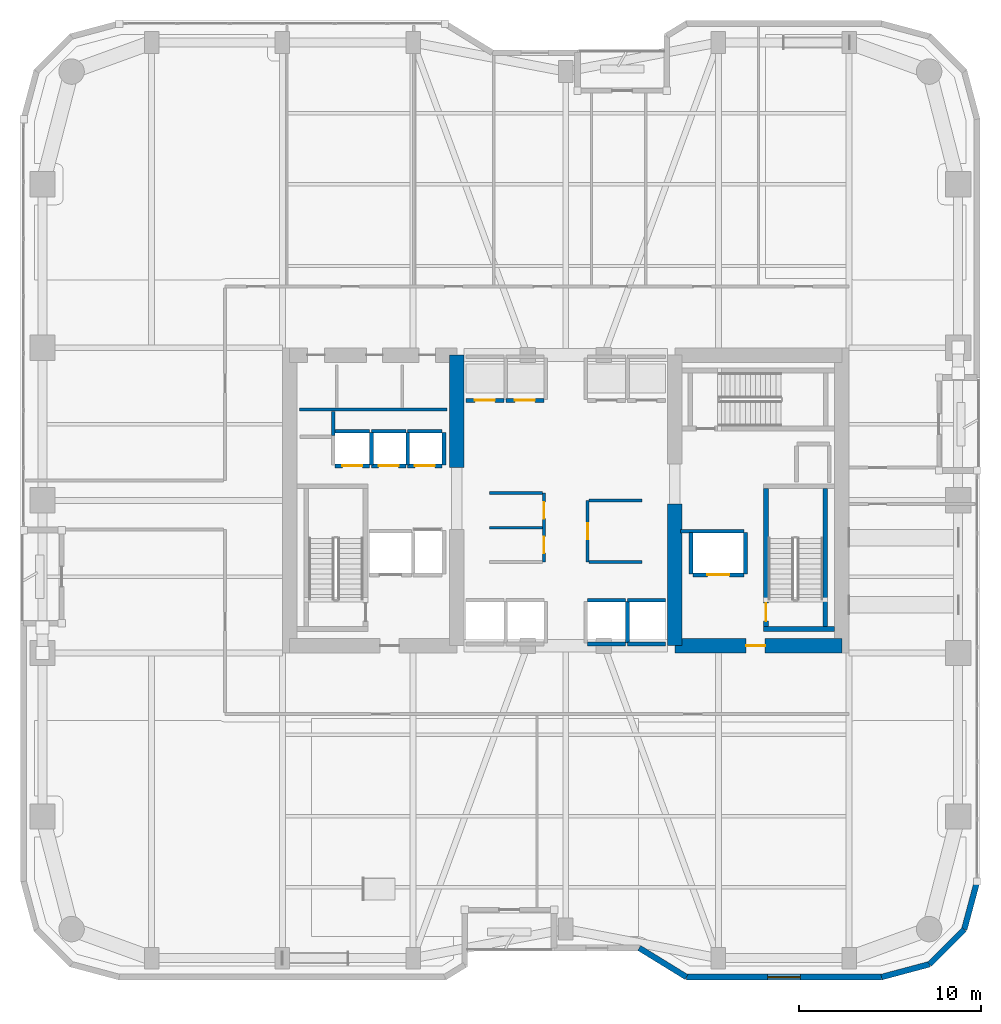
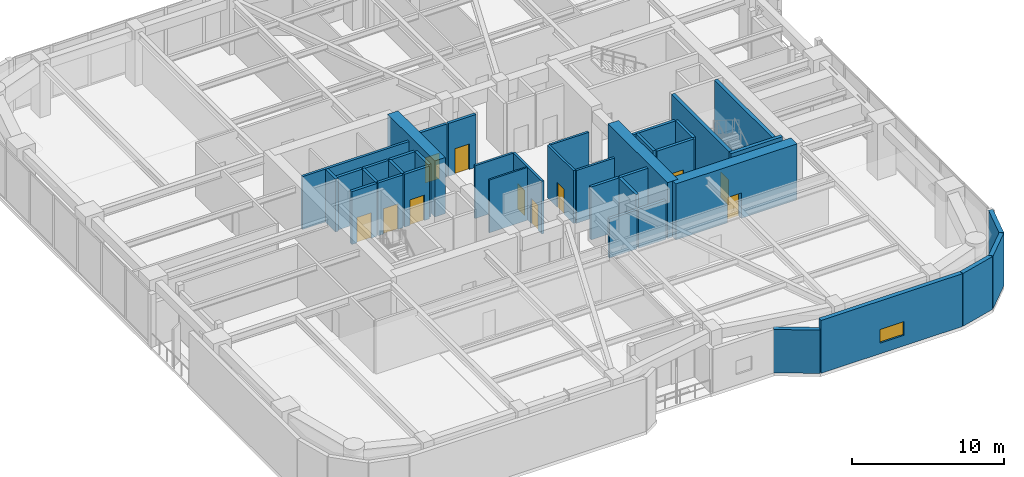
# One storey, part 15 of 23: 39 walls, 11 doors, 1 window, 12 openings.
"""IFC4 building model written with IfcOpenShell, lengths in metres."""

import ifcopenshell
import ifcopenshell.guid

model = None  # the IFC model being written
_history = None  # IfcOwnerHistory: only IFC2X3 demands one
_inside = {}  # id of a spatial element -> (the spatial element, [elements in it])
_under = {}  # id of a project, library or spatial element -> (it, [spatial elements below it])
_declared = {}  # id of a project -> (the project, [libraries it declares])
_typed = {}  # id of a type object -> (the type object, [elements of that type])
_made_of = {}  # id of a material, layer set ... -> (it, [elements and type objects made of it])


def new_model(schema):
    """Start an empty IFC model of exactly this schema.

    Asked for "IFC4X3", IfcOpenShell would pick the latest addendum, in which some entities
    have other attributes; the version numbers below select the first issue.
    IFC2X3 requires an IfcOwnerHistory on every rooted entity: one is made here for all.
    """
    global model, _history
    if schema == "IFC4X3":
        model = ifcopenshell.file(schema_version=(4, 3, 0, 0))
    else:
        model = ifcopenshell.file(schema=schema)
    _inside.clear()
    _under.clear()
    _declared.clear()
    _typed.clear()
    _made_of.clear()
    _history = None
    if model.schema == "IFC2X3":
        org = make("IfcOrganization", Name="unknown")
        user = make(
            "IfcPersonAndOrganization",
            ThePerson=make("IfcPerson", FamilyName="unknown"),
            TheOrganization=org,
        )
        app = make(
            "IfcApplication",
            ApplicationDeveloper=org,
            Version="unknown",
            ApplicationFullName="unknown",
            ApplicationIdentifier="unknown",
        )
        _history = make(
            "IfcOwnerHistory",
            OwningUser=user,
            OwningApplication=app,
            ChangeAction="ADDED",
            CreationDate=0,
        )
    return model


def make(cls, **values):
    """One entity of the class cls with the attributes given. An attribute that is None is left unset."""
    return model.create_entity(
        cls, **{name: value for name, value in values.items() if value is not None}
    )


def rooted(cls, **values):
    """An entity with a GlobalId (a new one), such as an element, a storey or a relation."""
    return make(cls, GlobalId=ifcopenshell.guid.new(), OwnerHistory=_history, **values)


def si_unit(unit_type, name, prefix=None):
    """IfcSIUnit, for example si_unit("LENGTHUNIT", "METRE", prefix="MILLI")."""
    return make("IfcSIUnit", UnitType=unit_type, Prefix=prefix, Name=name)


def assignment(units):
    """IfcUnitAssignment: the units of a project."""
    return None if units is None else make("IfcUnitAssignment", Units=units)


def point(xyz):
    """IfcCartesianPoint."""
    return None if xyz is None else make("IfcCartesianPoint", Coordinates=xyz)


def direction(xyz):
    """IfcDirection."""
    return None if xyz is None else make("IfcDirection", DirectionRatios=xyz)


def frame(location, z_axis=None, x_axis=None):
    """IfcAxis2Placement3D, a coordinate frame: its origin and axes. An axis left out is left unset."""
    return make(
        "IfcAxis2Placement3D",
        Location=point(location),
        Axis=direction(z_axis),
        RefDirection=direction(x_axis),
    )


def frame_2d(location, x_axis=None):
    """IfcAxis2Placement2D, a coordinate frame in the plane: its origin and x axis."""
    return make(
        "IfcAxis2Placement2D", Location=point(location), RefDirection=direction(x_axis)
    )


def origin():
    """The frame at (0, 0, 0) with its axes left unset."""
    return frame((0.0, 0.0, 0.0))


def place(relative_to, where):
    """IfcLocalPlacement: puts the frame where relative to a parent placement (None: the world)."""
    return make(
        "IfcLocalPlacement", PlacementRelTo=relative_to, RelativePlacement=where
    )


def context(
    kind, dimensions, precision=None, world=None, true_north=None, identifier=None
):
    """IfcGeometricRepresentationContext, for example the 3D "Model" context."""
    return make(
        "IfcGeometricRepresentationContext",
        ContextIdentifier=identifier,
        ContextType=kind,
        CoordinateSpaceDimension=dimensions,
        Precision=precision,
        WorldCoordinateSystem=world,
        TrueNorth=true_north,
    )


def subcontext(parent, identifier, kind, view, scale=None):
    """IfcGeometricRepresentationSubContext, for example "Body" below "Model"."""
    return make(
        "IfcGeometricRepresentationSubContext",
        ContextIdentifier=identifier,
        ContextType=kind,
        ParentContext=parent,
        TargetScale=scale,
        TargetView=view,
    )


def project(units=None, contexts=None):
    """IfcProject with its units and contexts."""
    return rooted(
        "IfcProject",
        Name="project",
        RepresentationContexts=contexts,
        UnitsInContext=assignment(units),
    )


def spatial(cls, under=None, at=None, **own):
    """A site, building, storey or space (cls), placed at a placement, below another one or the project."""
    s = rooted(cls, ObjectPlacement=at, **own)
    if under is not None:
        _under.setdefault(under.id(), (under, []))[1].append(s)
    return s


def profile(cls, at=None, kind="AREA", **sizes):
    """A parametric profile (cls). Its sizes go by their IFC names, for example OverallWidth=200.0."""
    return make(cls, ProfileType=kind, Position=at, **sizes)


def rectangle(**sizes):
    """IfcRectangleProfileDef."""
    return profile("IfcRectangleProfileDef", **sizes)


def extrude(swept, where, along, depth):
    """IfcExtrudedAreaSolid: the profile swept, set in the frame where, extruded along a direction by depth."""
    return make(
        "IfcExtrudedAreaSolid",
        SweptArea=swept,
        Position=where,
        ExtrudedDirection=direction(along),
        Depth=depth,
    )


def shape(context_of_items, identifier, shape_type, items):
    """IfcShapeRepresentation: the items that make up one representation, for example the "Body"."""
    return make(
        "IfcShapeRepresentation",
        ContextOfItems=context_of_items,
        RepresentationIdentifier=identifier,
        RepresentationType=shape_type,
        Items=items,
    )


def material(Name=None, Category=None):
    """IfcMaterial."""
    return make("IfcMaterial", Name=Name, Category=Category)


def layer(
    of_material, thickness, ventilated=None, Name=None, Category=None, Priority=None
):
    """IfcMaterialLayer: one layer of a wall or slab, of a material (None: an air gap)."""
    return make(
        "IfcMaterialLayer",
        Material=of_material,
        LayerThickness=thickness,
        IsVentilated=ventilated,
        Name=Name,
        Category=Category,
        Priority=Priority,
    )


def layer_set(layers, Name=None):
    """IfcMaterialLayerSet."""
    return make("IfcMaterialLayerSet", MaterialLayers=layers, LayerSetName=Name)


def made_of(thing, what):
    """Note that an element or type object is made of a material, layer set ...; save() writes the relation."""
    if what is not None:
        _made_of.setdefault(what.id(), (what, []))[1].append(thing)
    return thing


def type_object(cls, material=None, **own):
    """A type object (cls), such as IfcWallType, which elements share."""
    return made_of(rooted(cls, **own), material)


def element(
    cls,
    number,
    at=None,
    inside=None,
    cuts=None,
    type_object=None,
    material=None,
    context=None,
    identifier="Body",
    shape_type=None,
    held_by="IfcProductDefinitionShape",
    body=None,
    shapes=None,
    **own,
):
    """One element of the class cls, such as IfcWall. Its Tag is "e" and its number.

    at: its placement. inside: the storey or other place that contains it. cuts: it is an
    opening in that element (IfcRelVoidsElement). A single representation is given by context,
    identifier, shape_type and body (its items); several are given by shapes. held_by: the class
    of the entity that holds the representations. save() writes the other relations.
    """
    e = rooted(cls, Tag="e%d" % number, ObjectPlacement=at, **own)
    if body is not None:
        shapes = [shape(context, identifier, shape_type, body)]
    if shapes is not None:
        e.Representation = make(held_by, Representations=shapes)
    if inside is not None:
        _inside.setdefault(inside.id(), (inside, []))[1].append(e)
    if cuts is not None:
        rooted(
            "IfcRelVoidsElement", RelatingBuildingElement=cuts, RelatedOpeningElement=e
        )
    if type_object is not None:
        _typed.setdefault(type_object.id(), (type_object, []))[1].append(e)
    return made_of(e, material)


def fill(opening, filler):
    """IfcRelFillsElement: the door or window that sits in an opening."""
    return rooted(
        "IfcRelFillsElement",
        RelatingOpeningElement=opening,
        RelatedBuildingElement=filler,
    )


def aggregate(whole, parts):
    """IfcRelAggregates: a whole, such as a stair, and the parts it consists of."""
    return rooted("IfcRelAggregates", RelatingObject=whole, RelatedObjects=parts)


def save(model, path):
    """Write the relations noted so far, then the file.

    IfcRelAggregates (storeys below a building ...), IfcRelContainedInSpatialStructure (elements
    in a storey), IfcRelDefinesByType, IfcRelAssociatesMaterial and IfcRelDeclares: one each for
    every whole, place, type object, material and project.
    """
    for whole, parts in _under.values():
        aggregate(whole, parts)
    for where, things in _inside.values():
        rooted(
            "IfcRelContainedInSpatialStructure",
            RelatedElements=things,
            RelatingStructure=where,
        )
    for kind, things in _typed.values():
        rooted("IfcRelDefinesByType", RelatedObjects=things, RelatingType=kind)
    for what, things in _made_of.values():
        rooted("IfcRelAssociatesMaterial", RelatedObjects=things, RelatingMaterial=what)
    for by, libraries in _declared.values():
        rooted("IfcRelDeclares", RelatingContext=by, RelatedDefinitions=libraries)
    model.write(path)


model = new_model("IFC4")

# Units and contexts
model_context = context("Model", 3, precision=1e-05, world=origin(), true_north=direction((0.0, 1.0)))
body_context = subcontext(model_context, "Body", "Model", "MODEL_VIEW")
ifc_project = project(units=[si_unit("LENGTHUNIT", "METRE"), si_unit("AREAUNIT", "SQUARE_METRE"), si_unit("VOLUMEUNIT", "CUBIC_METRE"), si_unit("PLANEANGLEUNIT", "RADIAN"), si_unit("MASSUNIT", "GRAM", prefix="KILO")], contexts=[model_context])

# Site, building, storey
site_placement = place(None, origin())
site = spatial("IfcSite", under=ifc_project, at=site_placement, CompositionType="ELEMENT")
building_placement = place(site_placement, origin())
building = spatial("IfcBuilding", under=site, at=building_placement, Name="Kiyonajd Concourse Tower", CompositionType="ELEMENT")
storey_placement = place(building_placement, frame((0.0, 0.0, 120.89990234375)))
storey = spatial("IfcBuildingStorey", under=building, at=storey_placement, Name="L31", CompositionType="ELEMENT", Elevation=120.89990234375)

# Walls
ifc_material_1 = material(Name="Concrete C70/85", Category="concrete")
ifc_layer_1 = layer(ifc_material_1, 0.800048828125)
ifc_layer_set_1 = layer_set([ifc_layer_1], Name="Concrete C70/85")
wall_type_1 = type_object("IfcWallType", Name="WL-CORE-800", PredefinedType="SHEAR", material=ifc_layer_set_1)
wall_1_placement = place(storey_placement, frame((42.0, 37.800048828125, 0.0), z_axis=(0.0, 0.0, 1.0), x_axis=(0.0, 1.0, 0.0)))
element("IfcWall", 1, at=wall_1_placement, inside=storey, type_object=wall_type_1, Name="L31 West Core Inner North Shear Wall", PredefinedType="SHEAR", context=body_context, shape_type="SweptSolid", body=[
    extrude(rectangle(XDim=6.199951171875, YDim=0.800048828125, at=frame_2d((3.10009765625, 0.0))), origin(), (0.0, 0.0, 1.0), 4.5),
])
wall_2_placement = place(storey_placement, frame((54.0, 28.0, 0.0), z_axis=(0.0, 0.0, 1.0), x_axis=(0.0, 1.0, 0.0)))
element("IfcWall", 2, at=wall_2_placement, inside=storey, type_object=wall_type_1, Name="L31 East Core Inner South Shear Wall", PredefinedType="SHEAR", context=body_context, shape_type="SweptSolid", body=[
    extrude(rectangle(XDim=7.800048828125, YDim=0.800048828125, at=frame_2d((3.89990234375, 0.0))), origin(), (0.0, 0.0, 1.0), 4.5),
])

# Wall, opening, door
wall_3_placement = place(storey_placement, frame((54.0, 28.0, 0.0), z_axis=(0.0, 0.0, 1.0), x_axis=(1.0, 0.0, 0.0)))
wall_3 = element("IfcWall", 3, at=wall_3_placement, inside=storey, type_object=wall_type_1, Name="L31 East Core South Shear Wall", PredefinedType="SHEAR", context=body_context, shape_type="SweptSolid", body=[
    extrude(rectangle(XDim=9.199951171875, YDim=0.800048828125, at=frame_2d((4.60009765625, 0.0))), origin(), (0.0, 0.0, 1.0), 4.5),
])
opening_1_placement = place(wall_3_placement, frame((3.925048828125, 0.0, 0.0)))
opening_1 = element("IfcOpeningElement", 4, at=opening_1_placement, cuts=wall_3, Name="Opening DF5", PredefinedType="OPENING", context=body_context, shape_type="SweptSolid", body=[
    extrude(rectangle(XDim=1.050048828125, YDim=2.0400390625, at=frame_2d((0.52490234375, 1.02001953125))), frame((0.0, 0.409912109375, 0.0), z_axis=(0.0, -1.0, 0.0), x_axis=(1.0, 0.0, 0.0)), (0.0, 0.0, 1.0), 0.820068359375),
])
ifc_material_2 = material(Name="Brushed Stainless Steel Cab Assembly", Category="steel")
door_type_1 = type_object("IfcDoorType", Name="DR-FD45-1050", OperationType="NOTDEFINED", PredefinedType="DOOR", material=ifc_material_2)
door_1_placement = place(opening_1_placement, origin())
door_1 = element("IfcDoor", 5, at=door_1_placement, inside=storey, type_object=door_type_1, Name="L31 Firefighting Lift Lobby E Smoke Door", OperationType="SINGLE_SWING_RIGHT", OverallHeight=2.0400390625, OverallWidth=1.050048828125, PredefinedType="DOOR", context=body_context, shape_type="SweptSolid", body=[
    extrude(rectangle(XDim=1.050048828125, YDim=2.0400390625, at=frame_2d((0.52490234375, 1.02001953125))), frame((0.0, 0.02490234375, 0.0), z_axis=(0.0, -1.0, 0.0), x_axis=(1.0, 0.0, 0.0)), (0.0, 0.0, 1.0), 0.050048828125),
])
fill(opening_1, door_1)

# Walls
ifc_material_3 = material(Name="Precast concrete C50/60", Category="concrete")
ifc_layer_2 = layer(ifc_material_3, 0.320068359375)
ifc_layer_set_2 = layer_set([ifc_layer_2], Name="Precast concrete C50/60")
wall_type_2 = type_object("IfcWallType", Name="WL-EXT-320", PredefinedType="SOLIDWALL", material=ifc_layer_set_2)
wall_4_placement = place(storey_placement, frame((70.639892578125, 15.02099609375, 0.0), z_axis=(0.0, 0.0, 1.0), x_axis=(-0.258613949072, -0.965980758269, 0.0)))
element("IfcWall", 6, at=wall_4_placement, inside=storey, type_object=wall_type_2, Name="L31 Exterior Concrete Frame Wall 25", PredefinedType="SOLIDWALL", context=body_context, shape_type="SweptSolid", body=[
    extrude(rectangle(XDim=2.731201171875, YDim=0.320068359375, at=frame_2d((1.36572265625, 0.0))), origin(), (0.0, 0.0, 1.0), 4.239990234375),
])
wall_5_placement = place(storey_placement, frame((69.93359375, 12.3828125, 0.0), z_axis=(0.0, 0.0, 1.0), x_axis=(-0.707151821269, -0.707061738235, 0.0)))
element("IfcWall", 7, at=wall_5_placement, inside=storey, type_object=wall_type_2, Name="L31 Exterior Concrete Frame Wall 26", PredefinedType="SOLIDWALL", context=body_context, shape_type="SweptSolid", body=[
    extrude(rectangle(XDim=2.710205078125, YDim=0.320068359375, at=frame_2d((1.35498046875, 0.0))), origin(), (0.0, 0.0, 1.0), 4.239990234375),
])
wall_6_placement = place(storey_placement, frame((68.01708984375, 10.466552734375, 0.0), z_axis=(0.0, 0.0, 1.0), x_axis=(-0.965958423373, -0.25869736047, 0.0)))
element("IfcWall", 8, at=wall_6_placement, inside=storey, type_object=wall_type_2, Name="L31 Exterior Concrete Frame Wall 27", PredefinedType="SOLIDWALL", context=body_context, shape_type="SweptSolid", body=[
    extrude(rectangle(XDim=2.731201171875, YDim=0.320068359375, at=frame_2d((1.36572265625, 0.0))), origin(), (0.0, 0.0, 1.0), 4.239990234375),
])

# Wall, opening, window
wall_7_placement = place(storey_placement, frame((65.37890625, 9.760009765625, 0.0), z_axis=(0.0, 0.0, 1.0), x_axis=(-1.0, 0.0, 0.0)))
wall_7 = element("IfcWall", 9, at=wall_7_placement, inside=storey, type_object=wall_type_2, Name="L31 Exterior Concrete Frame Wall 28", PredefinedType="SOLIDWALL", context=body_context, shape_type="SweptSolid", body=[
    extrude(rectangle(XDim=10.733642578125, YDim=0.320068359375, at=frame_2d((5.36669921875, 0.0))), origin(), (0.0, 0.0, 1.0), 4.239990234375),
])
opening_2_placement = place(wall_7_placement, frame((4.467041015625, 0.0, 0.85009765625)))
opening_2 = element("IfcOpeningElement", 10, at=opening_2_placement, cuts=wall_7, Name="Opening WN1", PredefinedType="OPENING", context=body_context, shape_type="SweptSolid", body=[
    extrude(rectangle(XDim=1.800048828125, YDim=1.10009765625, at=frame_2d((0.89990234375, 0.550048828125))), frame((0.0, 0.169921875, 0.0), z_axis=(0.0, -1.0, 0.0), x_axis=(1.0, 0.0, 0.0)), (0.0, 0.0, 1.0), 0.340087890625),
])
ifc_material_4 = material(Name="Double Low-E Insulated Glass", Category="glass")
window_type = type_object("IfcWindowType", Name="WN-VIS-1800x1100", PartitioningType="SINGLE_PANEL", PredefinedType="WINDOW", material=ifc_material_4)
window_placement = place(opening_2_placement, origin())
window = element("IfcWindow", 11, at=window_placement, inside=storey, type_object=window_type, Name="L31 Modular Facade Vision Window 28", OverallHeight=1.10009765625, OverallWidth=1.800048828125, PartitioningType="SINGLE_PANEL", PredefinedType="WINDOW", context=body_context, shape_type="SweptSolid", body=[
    extrude(rectangle(XDim=1.800048828125, YDim=1.10009765625, at=frame_2d((0.89990234375, 0.550048828125))), frame((0.0, 0.030029296875, 0.0), z_axis=(0.0, -1.0, 0.0), x_axis=(1.0, 0.0, 0.0)), (0.0, 0.0, 1.0), 0.06005859375),
])
fill(opening_2, window)

# Walls
wall_8_placement = place(storey_placement, frame((54.645263671875, 9.760009765625, 0.0), z_axis=(0.0, 0.0, 1.0), x_axis=(-0.851630857047, 0.524142044989, 0.0)))
element("IfcWall", 12, at=wall_8_placement, inside=storey, type_object=wall_type_2, Name="L31 Exterior Concrete Frame Wall 29", PredefinedType="SOLIDWALL", context=body_context, shape_type="SweptSolid", body=[
    extrude(rectangle(XDim=3.052734375, YDim=0.320068359375, at=frame_2d((1.5263671875, 0.0))), origin(), (0.0, 0.0, 1.0), 3.47509765625),
])
ifc_material_5 = material(Name="Gypsum Board on Cold-Formed Steel Stud", Category="steel")
ifc_layer_3 = layer(ifc_material_5, 0.125)
ifc_layer_set_3 = layer_set([ifc_layer_3], Name="Gypsum Board on Cold-Formed Steel Stud")
wall_type_3 = type_object("IfcWallType", Name="WL-PART-125", PredefinedType="PARTITIONING", material=ifc_layer_set_3)
wall_9_placement = place(storey_placement, frame((43.800048828125, 34.5, 0.0), z_axis=(0.0, 0.0, 1.0), x_axis=(1.0, 0.0, 0.0)))
element("IfcWall", 13, at=wall_9_placement, inside=storey, type_object=wall_type_3, Name="L31 Interior Partition Wall", PredefinedType="PARTITIONING", context=body_context, shape_type="SweptSolid", body=[
    extrude(rectangle(XDim=2.912841796875, YDim=0.125, at=frame_2d((1.45654296875, 0.0))), origin(), (0.0, 0.0, 1.0), 4.239990234375),
])
ifc_layer_4 = layer(ifc_material_5, 0.18994140625)
ifc_layer_set_4 = layer_set([ifc_layer_4], Name="Gypsum Board on Cold-Formed Steel Stud")
wall_type_4 = type_object("IfcWallType", Name="WL-PLMB-190", PredefinedType="PLUMBINGWALL", material=ifc_layer_set_4)
wall_10_placement = place(storey_placement, frame((33.35009765625, 41.0, 0.0), z_axis=(0.0, 0.0, 1.0), x_axis=(1.0, 0.0, 0.0)))
element("IfcWall", 14, at=wall_10_placement, inside=storey, type_object=wall_type_4, Name="L31 Interior Partition Wall", PredefinedType="PLUMBINGWALL", context=body_context, shape_type="SweptSolid", body=[
    extrude(rectangle(XDim=8.099853515625, YDim=0.18994140625, at=frame_2d((4.0498046875, 0.0))), origin(), (0.0, 0.0, 1.0), 4.239990234375),
])
ifc_layer_5 = layer(ifc_material_5, 0.2099609375)
ifc_layer_set_5 = layer_set([ifc_layer_5], Name="Gypsum Board on Cold-Formed Steel Stud")
wall_type_5 = type_object("IfcWallType", Name="WL-SHAFT-210", PredefinedType="PARTITIONING", material=ifc_layer_set_5)
wall_11_placement = place(storey_placement, frame((35.199951171875, 39.580078125, 0.0), z_axis=(0.0, 0.0, 1.0), x_axis=(0.0, 1.0, 0.0)))
element("IfcWall", 15, at=wall_11_placement, inside=storey, type_object=wall_type_5, Name="L31 Shaft Enclosure Wall", PredefinedType="PARTITIONING", context=body_context, shape_type="SweptSolid", body=[
    extrude(rectangle(XDim=1.31982421875, YDim=0.2099609375, at=frame_2d((0.659912109375, 0.0))), origin(), (0.0, 0.0, 1.0), 4.239990234375),
])

# Wall, opening, door
wall_12_placement = place(storey_placement, frame((55.0, 31.89990234375, 0.0), z_axis=(0.0, 0.0, 1.0), x_axis=(1.0, 0.0, 0.0)))
wall_12 = element("IfcWall", 16, at=wall_12_placement, inside=storey, type_object=wall_type_5, Name="L31 Shaft Enclosure Wall", PredefinedType="PARTITIONING", context=body_context, shape_type="SweptSolid", body=[
    extrude(rectangle(XDim=2.800048828125, YDim=0.2099609375, at=frame_2d((1.39990234375, 0.0))), origin(), (0.0, 0.0, 1.0), 4.239990234375),
])
opening_3_placement = place(wall_12_placement, frame((0.800048828125, 0.0, 0.0)))
opening_3 = element("IfcOpeningElement", 17, at=opening_3_placement, cuts=wall_12, Name="Opening LD2", PredefinedType="OPENING", context=body_context, shape_type="SweptSolid", body=[
    extrude(rectangle(XDim=1.199951171875, YDim=2.0400390625, at=frame_2d((0.60009765625, 1.02001953125))), frame((0.0, 0.114990234375, 0.0), z_axis=(0.0, -1.0, 0.0), x_axis=(1.0, 0.0, 0.0)), (0.0, 0.0, 1.0), 0.22998046875),
])
door_type_2 = type_object("IfcDoorType", Name="DR-LD-1200", OperationType="DOUBLE_DOOR_SLIDING", PredefinedType="DOOR", material=ifc_material_2)
door_2_placement = place(opening_3_placement, origin())
door_2 = element("IfcDoor", 18, at=door_2_placement, inside=storey, type_object=door_type_2, Name="L31 Lift FFL2 Sliding Landing Door", OperationType="DOUBLE_DOOR_SLIDING", OverallHeight=2.0400390625, OverallWidth=1.199951171875, PredefinedType="DOOR", context=body_context, shape_type="SweptSolid", body=[
    extrude(rectangle(XDim=1.199951171875, YDim=2.0400390625, at=frame_2d((0.60009765625, 1.02001953125))), frame((0.0, 0.02490234375, 0.0), z_axis=(0.0, -1.0, 0.0), x_axis=(1.0, 0.0, 0.0)), (0.0, 0.0, 1.0), 0.050048828125),
])
fill(opening_3, door_2)

# Walls
wall_13_placement = place(storey_placement, frame((54.320068359375, 34.300048828125, 0.0), z_axis=(0.0, 0.0, 1.0), x_axis=(1.0, 0.0, 0.0)))
element("IfcWall", 19, at=wall_13_placement, inside=storey, type_object=wall_type_5, Name="L31 Shaft Enclosure Wall", PredefinedType="PARTITIONING", context=body_context, shape_type="SweptSolid", body=[
    extrude(rectangle(XDim=3.47998046875, YDim=0.2099609375, at=frame_2d((1.739990234375, 0.0))), origin(), (0.0, 0.0, 1.0), 4.239990234375),
])
for number, where, z_axis, x_axis, name in (
    (20, (54.89990234375, 31.9599609375, 0.0), (0.0, 0.0, 1.0), (0.0, 1.0, 0.0), "L31 Shaft Enclosure Wall"),
    (21, (57.89990234375, 31.9599609375, 0.0), (0.0, 0.0, 1.0), (0.0, 1.0, 0.0), "L31 Shaft Enclosure Wall"),
):
    element("IfcWall", number, at=place(storey_placement, frame(where, z_axis=z_axis, x_axis=x_axis)), inside=storey, type_object=wall_type_5, Name=name, PredefinedType="PARTITIONING", context=body_context, shape_type="SweptSolid", body=[
        extrude(rectangle(XDim=2.280029296875, YDim=0.2099609375, at=frame_2d((1.14013671875, 0.0))), origin(), (0.0, 0.0, 1.0), 4.239990234375),
    ])
wall_14_placement = place(storey_placement, frame((49.199951171875, 30.5, 0.0), z_axis=(0.0, 0.0, 1.0), x_axis=(1.0, 0.0, 0.0)))
element("IfcWall", 22, at=wall_14_placement, inside=storey, type_object=wall_type_5, Name="L31 Shaft Enclosure Wall", PredefinedType="PARTITIONING", context=body_context, shape_type="SweptSolid", body=[
    extrude(rectangle(XDim=2.10009765625, YDim=0.2099609375, at=frame_2d((1.050048828125, 0.0))), origin(), (0.0, 0.0, 1.0), 4.239990234375),
])
wall_15_placement = place(storey_placement, frame((49.199951171875, 28.10009765625, 0.0), z_axis=(0.0, 0.0, 1.0), x_axis=(1.0, 0.0, 0.0)))
element("IfcWall", 23, at=wall_15_placement, inside=storey, type_object=wall_type_5, Name="L31 Shaft Enclosure Wall", PredefinedType="PARTITIONING", context=body_context, shape_type="SweptSolid", body=[
    extrude(rectangle(XDim=2.10009765625, YDim=0.2099609375, at=frame_2d((1.050048828125, 0.0))), origin(), (0.0, 0.0, 1.0), 3.125),
])
wall_16_placement = place(storey_placement, frame((51.39990234375, 28.159912109375, 0.0), z_axis=(0.0, 0.0, 1.0), x_axis=(0.0, 1.0, 0.0)))
element("IfcWall", 24, at=wall_16_placement, inside=storey, type_object=wall_type_5, Name="L31 Shaft Enclosure Wall", PredefinedType="PARTITIONING", context=body_context, shape_type="SweptSolid", body=[
    extrude(rectangle(XDim=2.280029296875, YDim=0.2099609375, at=frame_2d((1.14013671875, 0.0))), origin(), (0.0, 0.0, 1.0), 4.239990234375),
])
wall_17_placement = place(storey_placement, frame((51.39990234375, 30.5, 0.0), z_axis=(0.0, 0.0, 1.0), x_axis=(1.0, 0.0, 0.0)))
element("IfcWall", 25, at=wall_17_placement, inside=storey, type_object=wall_type_5, Name="L31 Shaft Enclosure Wall", PredefinedType="PARTITIONING", context=body_context, shape_type="SweptSolid", body=[
    extrude(rectangle(XDim=2.10009765625, YDim=0.2099609375, at=frame_2d((1.050048828125, 0.0))), origin(), (0.0, 0.0, 1.0), 4.239990234375),
])
wall_18_placement = place(storey_placement, frame((51.39990234375, 28.10009765625, 0.0), z_axis=(0.0, 0.0, 1.0), x_axis=(1.0, 0.0, 0.0)))
element("IfcWall", 26, at=wall_18_placement, inside=storey, type_object=wall_type_5, Name="L31 Shaft Enclosure Wall", PredefinedType="PARTITIONING", context=body_context, shape_type="SweptSolid", body=[
    extrude(rectangle(XDim=2.10009765625, YDim=0.2099609375, at=frame_2d((1.050048828125, 0.0))), origin(), (0.0, 0.0, 1.0), 3.125),
])

# Wall, opening, door
wall_19_placement = place(storey_placement, frame((42.5, 41.5, 0.0), z_axis=(0.0, 0.0, 1.0), x_axis=(1.0, 0.0, 0.0)))
wall_19 = element("IfcWall", 27, at=wall_19_placement, inside=storey, type_object=wall_type_5, Name="L31 Shaft Enclosure Wall", PredefinedType="PARTITIONING", context=body_context, shape_type="SweptSolid", body=[
    extrude(rectangle(XDim=2.10009765625, YDim=0.2099609375, at=frame_2d((1.050048828125, 0.0))), origin(), (0.0, 0.0, 1.0), 4.239990234375),
])
opening_4_placement = place(wall_19_placement, frame((0.5, 0.0, 0.0)))
opening_4 = element("IfcOpeningElement", 28, at=opening_4_placement, cuts=wall_19, Name="Opening LD1", PredefinedType="OPENING", context=body_context, shape_type="SweptSolid", body=[
    extrude(rectangle(XDim=1.10009765625, YDim=2.0400390625, at=frame_2d((0.550048828125, 1.02001953125))), frame((0.0, 0.114990234375, 0.0), z_axis=(0.0, -1.0, 0.0), x_axis=(1.0, 0.0, 0.0)), (0.0, 0.0, 1.0), 0.22998046875),
])
door_type_3 = type_object("IfcDoorType", Name="DR-LD-1100", OperationType="DOUBLE_DOOR_SLIDING", PredefinedType="DOOR", material=ifc_material_2)
door_3_placement = place(opening_4_placement, origin())
door_3 = element("IfcDoor", 29, at=door_3_placement, inside=storey, type_object=door_type_3, Name="L31 Lift PL-M1 Sliding Landing Door", OperationType="DOUBLE_DOOR_SLIDING", OverallHeight=2.0400390625, OverallWidth=1.10009765625, PredefinedType="DOOR", context=body_context, shape_type="SweptSolid", body=[
    extrude(rectangle(XDim=1.10009765625, YDim=2.0400390625, at=frame_2d((0.550048828125, 1.02001953125))), frame((0.0, 0.02490234375, 0.0), z_axis=(0.0, -1.0, 0.0), x_axis=(1.0, 0.0, 0.0)), (0.0, 0.0, 1.0), 0.050048828125),
])
fill(opening_4, door_3)

wall_20_placement = place(storey_placement, frame((44.699951171875, 41.5, 0.0), z_axis=(0.0, 0.0, 1.0), x_axis=(1.0, 0.0, 0.0)))
wall_20 = element("IfcWall", 30, at=wall_20_placement, inside=storey, type_object=wall_type_5, Name="L31 Shaft Enclosure Wall", PredefinedType="PARTITIONING", context=body_context, shape_type="SweptSolid", body=[
    extrude(rectangle(XDim=2.10009765625, YDim=0.2099609375, at=frame_2d((1.050048828125, 0.0))), origin(), (0.0, 0.0, 1.0), 4.239990234375),
])
opening_5_placement = place(wall_20_placement, frame((0.5, 0.0, 0.0)))
opening_5 = element("IfcOpeningElement", 31, at=opening_5_placement, cuts=wall_20, Name="Opening LD1", PredefinedType="OPENING", context=body_context, shape_type="SweptSolid", body=[
    extrude(rectangle(XDim=1.10009765625, YDim=2.0400390625, at=frame_2d((0.550048828125, 1.02001953125))), frame((0.0, 0.114990234375, 0.0), z_axis=(0.0, -1.0, 0.0), x_axis=(1.0, 0.0, 0.0)), (0.0, 0.0, 1.0), 0.22998046875),
])
door_4_placement = place(opening_5_placement, origin())
door_4 = element("IfcDoor", 32, at=door_4_placement, inside=storey, type_object=door_type_3, Name="L31 Lift PL-M2 Sliding Landing Door", OperationType="DOUBLE_DOOR_SLIDING", OverallHeight=2.0400390625, OverallWidth=1.10009765625, PredefinedType="DOOR", context=body_context, shape_type="SweptSolid", body=[
    extrude(rectangle(XDim=1.10009765625, YDim=2.0400390625, at=frame_2d((0.550048828125, 1.02001953125))), frame((0.0, 0.02490234375, 0.0), z_axis=(0.0, -1.0, 0.0), x_axis=(1.0, 0.0, 0.0)), (0.0, 0.0, 1.0), 0.050048828125),
])
fill(opening_5, door_4)

wall_21_placement = place(storey_placement, frame((35.300048828125, 37.89990234375, 0.0), z_axis=(0.0, 0.0, 1.0), x_axis=(1.0, 0.0, 0.0)))
wall_21 = element("IfcWall", 33, at=wall_21_placement, inside=storey, type_object=wall_type_5, Name="L31 Shaft Enclosure Wall", PredefinedType="PARTITIONING", context=body_context, shape_type="SweptSolid", body=[
    extrude(rectangle(XDim=1.89990234375, YDim=0.2099609375, at=frame_2d((0.949951171875, 0.0))), origin(), (0.0, 0.0, 1.0), 4.239990234375),
])
opening_6_placement = place(wall_21_placement, frame((0.39990234375, 0.0, 0.0)))
opening_6 = element("IfcOpeningElement", 34, at=opening_6_placement, cuts=wall_21, Name="Opening LD1", PredefinedType="OPENING", context=body_context, shape_type="SweptSolid", body=[
    extrude(rectangle(XDim=1.10009765625, YDim=2.0400390625, at=frame_2d((0.550048828125, 1.02001953125))), frame((0.0, 0.114990234375, 0.0), z_axis=(0.0, -1.0, 0.0), x_axis=(1.0, 0.0, 0.0)), (0.0, 0.0, 1.0), 0.22998046875),
])
door_5_placement = place(opening_6_placement, origin())
door_5 = element("IfcDoor", 35, at=door_5_placement, inside=storey, type_object=door_type_3, Name="L31 Lift EXL1 Sliding Landing Door", OperationType="DOUBLE_DOOR_SLIDING", OverallHeight=2.0400390625, OverallWidth=1.10009765625, PredefinedType="DOOR", context=body_context, shape_type="SweptSolid", body=[
    extrude(rectangle(XDim=1.10009765625, YDim=2.0400390625, at=frame_2d((0.550048828125, 1.02001953125))), frame((0.0, 0.02490234375, 0.0), z_axis=(0.0, -1.0, 0.0), x_axis=(1.0, 0.0, 0.0)), (0.0, 0.0, 1.0), 0.050048828125),
])
fill(opening_6, door_5)

# Walls
wall_22_placement = place(storey_placement, frame((35.300048828125, 39.800048828125, 0.0), z_axis=(0.0, 0.0, 1.0), x_axis=(1.0, 0.0, 0.0)))
element("IfcWall", 36, at=wall_22_placement, inside=storey, type_object=wall_type_5, Name="L31 Shaft Enclosure Wall", PredefinedType="PARTITIONING", context=body_context, shape_type="SweptSolid", body=[
    extrude(rectangle(XDim=1.89990234375, YDim=0.2099609375, at=frame_2d((0.949951171875, 0.0))), origin(), (0.0, 0.0, 1.0), 4.239990234375),
])
wall_23_placement = place(storey_placement, frame((37.300048828125, 37.9599609375, 0.0), z_axis=(0.0, 0.0, 1.0), x_axis=(0.0, 1.0, 0.0)))
element("IfcWall", 37, at=wall_23_placement, inside=storey, type_object=wall_type_5, Name="L31 Shaft Enclosure Wall", PredefinedType="PARTITIONING", context=body_context, shape_type="SweptSolid", body=[
    extrude(rectangle(XDim=1.780029296875, YDim=0.2099609375, at=frame_2d((0.89013671875, 0.0))), origin(), (0.0, 0.0, 1.0), 4.239990234375),
])

# Wall, opening, door
wall_24_placement = place(storey_placement, frame((37.300048828125, 37.89990234375, 0.0), z_axis=(0.0, 0.0, 1.0), x_axis=(1.0, 0.0, 0.0)))
wall_24 = element("IfcWall", 38, at=wall_24_placement, inside=storey, type_object=wall_type_5, Name="L31 Shaft Enclosure Wall", PredefinedType="PARTITIONING", context=body_context, shape_type="SweptSolid", body=[
    extrude(rectangle(XDim=1.89990234375, YDim=0.2099609375, at=frame_2d((0.949951171875, 0.0))), origin(), (0.0, 0.0, 1.0), 4.239990234375),
])
opening_7_placement = place(wall_24_placement, frame((0.39990234375, 0.0, 0.0)))
opening_7 = element("IfcOpeningElement", 39, at=opening_7_placement, cuts=wall_24, Name="Opening LD1", PredefinedType="OPENING", context=body_context, shape_type="SweptSolid", body=[
    extrude(rectangle(XDim=1.10009765625, YDim=2.0400390625, at=frame_2d((0.550048828125, 1.02001953125))), frame((0.0, 0.114990234375, 0.0), z_axis=(0.0, -1.0, 0.0), x_axis=(1.0, 0.0, 0.0)), (0.0, 0.0, 1.0), 0.22998046875),
])
door_6_placement = place(opening_7_placement, origin())
door_6 = element("IfcDoor", 40, at=door_6_placement, inside=storey, type_object=door_type_3, Name="L31 Lift EXL2 Sliding Landing Door", OperationType="DOUBLE_DOOR_SLIDING", OverallHeight=2.0400390625, OverallWidth=1.10009765625, PredefinedType="DOOR", context=body_context, shape_type="SweptSolid", body=[
    extrude(rectangle(XDim=1.10009765625, YDim=2.0400390625, at=frame_2d((0.550048828125, 1.02001953125))), frame((0.0, 0.02490234375, 0.0), z_axis=(0.0, -1.0, 0.0), x_axis=(1.0, 0.0, 0.0)), (0.0, 0.0, 1.0), 0.050048828125),
])
fill(opening_7, door_6)

# Walls
wall_25_placement = place(storey_placement, frame((37.300048828125, 39.800048828125, 0.0), z_axis=(0.0, 0.0, 1.0), x_axis=(1.0, 0.0, 0.0)))
element("IfcWall", 41, at=wall_25_placement, inside=storey, type_object=wall_type_5, Name="L31 Shaft Enclosure Wall", PredefinedType="PARTITIONING", context=body_context, shape_type="SweptSolid", body=[
    extrude(rectangle(XDim=1.89990234375, YDim=0.2099609375, at=frame_2d((0.949951171875, 0.0))), origin(), (0.0, 0.0, 1.0), 4.239990234375),
])
wall_26_placement = place(storey_placement, frame((39.300048828125, 37.9599609375, 0.0), z_axis=(0.0, 0.0, 1.0), x_axis=(0.0, 1.0, 0.0)))
element("IfcWall", 42, at=wall_26_placement, inside=storey, type_object=wall_type_5, Name="L31 Shaft Enclosure Wall", PredefinedType="PARTITIONING", context=body_context, shape_type="SweptSolid", body=[
    extrude(rectangle(XDim=1.780029296875, YDim=0.2099609375, at=frame_2d((0.89013671875, 0.0))), origin(), (0.0, 0.0, 1.0), 4.239990234375),
])

# Wall, opening, door
wall_27_placement = place(storey_placement, frame((39.300048828125, 37.89990234375, 0.0), z_axis=(0.0, 0.0, 1.0), x_axis=(1.0, 0.0, 0.0)))
wall_27 = element("IfcWall", 43, at=wall_27_placement, inside=storey, type_object=wall_type_5, Name="L31 Shaft Enclosure Wall", PredefinedType="PARTITIONING", context=body_context, shape_type="SweptSolid", body=[
    extrude(rectangle(XDim=1.89990234375, YDim=0.2099609375, at=frame_2d((0.949951171875, 0.0))), origin(), (0.0, 0.0, 1.0), 4.239990234375),
])
opening_8_placement = place(wall_27_placement, frame((0.39990234375, 0.0, 0.0)))
opening_8 = element("IfcOpeningElement", 44, at=opening_8_placement, cuts=wall_27, Name="Opening LD1", PredefinedType="OPENING", context=body_context, shape_type="SweptSolid", body=[
    extrude(rectangle(XDim=1.10009765625, YDim=2.0400390625, at=frame_2d((0.550048828125, 1.02001953125))), frame((0.0, 0.114990234375, 0.0), z_axis=(0.0, -1.0, 0.0), x_axis=(1.0, 0.0, 0.0)), (0.0, 0.0, 1.0), 0.22998046875),
])
door_7_placement = place(opening_8_placement, origin())
door_7 = element("IfcDoor", 45, at=door_7_placement, inside=storey, type_object=door_type_3, Name="L31 Lift EXL3 Sliding Landing Door", OperationType="DOUBLE_DOOR_SLIDING", OverallHeight=2.0400390625, OverallWidth=1.10009765625, PredefinedType="DOOR", context=body_context, shape_type="SweptSolid", body=[
    extrude(rectangle(XDim=1.10009765625, YDim=2.0400390625, at=frame_2d((0.550048828125, 1.02001953125))), frame((0.0, 0.02490234375, 0.0), z_axis=(0.0, -1.0, 0.0), x_axis=(1.0, 0.0, 0.0)), (0.0, 0.0, 1.0), 0.050048828125),
])
fill(opening_8, door_7)

# Walls
wall_28_placement = place(storey_placement, frame((39.300048828125, 39.800048828125, 0.0), z_axis=(0.0, 0.0, 1.0), x_axis=(1.0, 0.0, 0.0)))
element("IfcWall", 46, at=wall_28_placement, inside=storey, type_object=wall_type_5, Name="L31 Shaft Enclosure Wall", PredefinedType="PARTITIONING", context=body_context, shape_type="SweptSolid", body=[
    extrude(rectangle(XDim=1.89990234375, YDim=0.2099609375, at=frame_2d((0.949951171875, 0.0))), origin(), (0.0, 0.0, 1.0), 4.239990234375),
])
wall_29_placement = place(storey_placement, frame((41.300048828125, 37.9599609375, 0.0), z_axis=(0.0, 0.0, 1.0), x_axis=(0.0, 1.0, 0.0)))
element("IfcWall", 47, at=wall_29_placement, inside=storey, type_object=wall_type_5, Name="L31 Shaft Enclosure Wall", PredefinedType="PARTITIONING", context=body_context, shape_type="SweptSolid", body=[
    extrude(rectangle(XDim=1.780029296875, YDim=0.2099609375, at=frame_2d((0.89013671875, 0.0))), origin(), (0.0, 0.0, 1.0), 4.239990234375),
])

# Wall, openings, doors
ifc_layer_6 = layer(ifc_material_5, 0.169921875)
ifc_layer_set_6 = layer_set([ifc_layer_6], Name="Gypsum Board on Cold-Formed Steel Stud")
wall_type_6 = type_object("IfcWallType", Name="WL-SMK-170", PredefinedType="PARTITIONING", material=ifc_layer_set_6)
wall_30_placement = place(storey_placement, frame((46.800048828125, 32.60009765625, 0.0), z_axis=(0.0, 0.0, 1.0), x_axis=(0.0, 1.0, 0.0)))
wall_30 = element("IfcWall", 48, at=wall_30_placement, inside=storey, type_object=wall_type_6, Name="L31 Interior Partition Wall", PredefinedType="PARTITIONING", context=body_context, shape_type="SweptSolid", body=[
    extrude(rectangle(XDim=3.7998046875, YDim=0.169921875, at=frame_2d((1.89990234375, 0.0))), origin(), (0.0, 0.0, 1.0), 4.239990234375),
])
opening_9_placement = place(wall_30_placement, frame((0.5, 0.0, 0.0)))
opening_9 = element("IfcOpeningElement", 49, at=opening_9_placement, cuts=wall_30, Name="Opening DI2", PredefinedType="OPENING", context=body_context, shape_type="SweptSolid", body=[
    extrude(rectangle(XDim=0.89990234375, YDim=2.02001953125, at=frame_2d((0.449951171875, 1.010009765625))), frame((0.0, 0.094970703125, 0.0), z_axis=(0.0, -1.0, 0.0), x_axis=(1.0, 0.0, 0.0)), (0.0, 0.0, 1.0), 0.18994140625),
])
opening_10_placement = place(wall_30_placement, frame((2.39990234375, 0.0, 0.0)))
opening_10 = element("IfcOpeningElement", 50, at=opening_10_placement, cuts=wall_30, Name="Opening DI2", PredefinedType="OPENING", context=body_context, shape_type="SweptSolid", body=[
    extrude(rectangle(XDim=0.89990234375, YDim=2.02001953125, at=frame_2d((0.449951171875, 1.010009765625))), frame((0.0, 0.094970703125, 0.0), z_axis=(0.0, -1.0, 0.0), x_axis=(1.0, 0.0, 0.0)), (0.0, 0.0, 1.0), 0.18994140625),
])
ifc_material_6 = material(Name="Natural Oak Acoustic Timber Veneer", Category="wood")
door_type_4 = type_object("IfcDoorType", Name="DR-INT-900", OperationType="NOTDEFINED", PredefinedType="DOOR", material=ifc_material_6)
door_8_placement = place(opening_9_placement, origin())
door_8 = element("IfcDoor", 51, at=door_8_placement, inside=storey, type_object=door_type_4, Name="L31 Interior Door", OperationType="SINGLE_SWING_LEFT", OverallHeight=2.02001953125, OverallWidth=0.89990234375, PredefinedType="DOOR", context=body_context, shape_type="SweptSolid", body=[
    extrude(rectangle(XDim=0.89990234375, YDim=2.02001953125, at=frame_2d((0.449951171875, 1.010009765625))), frame((0.0, 0.02490234375, 0.0), z_axis=(0.0, -1.0, 0.0), x_axis=(1.0, 0.0, 0.0)), (0.0, 0.0, 1.0), 0.050048828125),
])
fill(opening_9, door_8)
door_9_placement = place(opening_10_placement, origin())
door_9 = element("IfcDoor", 52, at=door_9_placement, inside=storey, type_object=door_type_4, Name="L31 Interior Door", OperationType="SINGLE_SWING_RIGHT", OverallHeight=2.02001953125, OverallWidth=0.89990234375, PredefinedType="DOOR", context=body_context, shape_type="SweptSolid", body=[
    extrude(rectangle(XDim=0.89990234375, YDim=2.02001953125, at=frame_2d((0.449951171875, 1.010009765625))), frame((0.0, 0.02490234375, 0.0), z_axis=(0.0, -1.0, 0.0), x_axis=(1.0, 0.0, 0.0)), (0.0, 0.0, 1.0), 0.050048828125),
])
fill(opening_10, door_9)

# Wall
wall_31_placement = place(storey_placement, frame((43.800048828125, 36.39990234375, 0.0), z_axis=(0.0, 0.0, 1.0), x_axis=(1.0, 0.0, 0.0)))
element("IfcWall", 53, at=wall_31_placement, inside=storey, type_object=wall_type_6, Name="L31 Interior Partition Wall", PredefinedType="PARTITIONING", context=body_context, shape_type="SweptSolid", body=[
    extrude(rectangle(XDim=2.912841796875, YDim=0.169921875, at=frame_2d((1.45654296875, 0.0))), origin(), (0.0, 0.0, 1.0), 4.239990234375),
])

# Wall, opening, door
wall_32_placement = place(storey_placement, frame((49.199951171875, 32.60009765625, 0.0), z_axis=(0.0, 0.0, 1.0), x_axis=(0.0, 1.0, 0.0)))
wall_32 = element("IfcWall", 54, at=wall_32_placement, inside=storey, type_object=wall_type_6, Name="L31 Interior Partition Wall", PredefinedType="PARTITIONING", context=body_context, shape_type="SweptSolid", body=[
    extrude(rectangle(XDim=3.39990234375, YDim=0.169921875, at=frame_2d((1.699951171875, 0.0))), origin(), (0.0, 0.0, 1.0), 4.239990234375),
])
opening_11_placement = place(wall_32_placement, frame((1.25, 0.0, 0.0)))
opening_11 = element("IfcOpeningElement", 55, at=opening_11_placement, cuts=wall_32, Name="Opening DI2", PredefinedType="OPENING", context=body_context, shape_type="SweptSolid", body=[
    extrude(rectangle(XDim=0.89990234375, YDim=2.02001953125, at=frame_2d((0.449951171875, 1.010009765625))), frame((0.0, 0.094970703125, 0.0), z_axis=(0.0, -1.0, 0.0), x_axis=(1.0, 0.0, 0.0)), (0.0, 0.0, 1.0), 0.18994140625),
])
door_10_placement = place(opening_11_placement, origin())
door_10 = element("IfcDoor", 56, at=door_10_placement, inside=storey, type_object=door_type_4, Name="L31 Interior Door", OperationType="SINGLE_SWING_LEFT", OverallHeight=2.02001953125, OverallWidth=0.89990234375, PredefinedType="DOOR", context=body_context, shape_type="SweptSolid", body=[
    extrude(rectangle(XDim=0.89990234375, YDim=2.02001953125, at=frame_2d((0.449951171875, 1.010009765625))), frame((0.0, 0.02490234375, 0.0), z_axis=(0.0, -1.0, 0.0), x_axis=(1.0, 0.0, 0.0)), (0.0, 0.0, 1.0), 0.050048828125),
])
fill(opening_11, door_10)

# Walls
for number, where, z_axis, x_axis, name in (
    (57, (49.287109375, 32.60009765625, 0.0), (0.0, 0.0, 1.0), (1.0, 0.0, 0.0), "L31 Interior Partition Wall"),
    (58, (49.287109375, 36.0, 0.0), (0.0, 0.0, 1.0), (1.0, 0.0, 0.0), "L31 Interior Partition Wall"),
):
    element("IfcWall", number, at=place(storey_placement, frame(where, z_axis=z_axis, x_axis=x_axis)), inside=storey, type_object=wall_type_6, Name=name, PredefinedType="PARTITIONING", context=body_context, shape_type="SweptSolid", body=[
        extrude(rectangle(XDim=2.912841796875, YDim=0.169921875, at=frame_2d((1.45654296875, 0.0))), origin(), (0.0, 0.0, 1.0), 4.239990234375),
    ])
ifc_material_7 = material(Name="Concrete C50/60", Category="concrete")
ifc_layer_7 = layer(ifc_material_7, 0.260009765625)
ifc_layer_set_7 = layer_set([ifc_layer_7], Name="Concrete C50/60")
wall_type_7 = type_object("IfcWallType", Name="WL-STAIR-260", PredefinedType="SHEAR", material=ifc_layer_set_7)
wall_33_placement = place(storey_placement, frame((58.889892578125, 28.919921875, 0.0), z_axis=(0.0, 0.0, 1.0), x_axis=(1.0, 0.0, 0.0)))
element("IfcWall", 59, at=wall_33_placement, inside=storey, type_object=wall_type_7, Name="L31 Stair ST2 Structural South Wall", PredefinedType="SHEAR", context=body_context, shape_type="SweptSolid", body=[
    extrude(rectangle(XDim=3.91015625, YDim=0.260009765625, at=frame_2d((1.955078125, 0.0))), origin(), (0.0, 0.0, 1.0), 4.5),
])

# Wall, opening, door
wall_34_placement = place(storey_placement, frame((59.02001953125, 29.050048828125, 0.0), z_axis=(0.0, 0.0, 1.0), x_axis=(0.0, 1.0, 0.0)))
wall_34 = element("IfcWall", 60, at=wall_34_placement, inside=storey, type_object=wall_type_7, Name="L31 Stair ST2 Structural West Wall", PredefinedType="SHEAR", context=body_context, shape_type="SweptSolid", body=[
    extrude(rectangle(XDim=7.599853515625, YDim=0.260009765625, at=frame_2d((3.7998046875, 0.0))), origin(), (0.0, 0.0, 1.0), 4.5),
])
opening_12_placement = place(wall_34_placement, frame((0.300048828125, 0.0, 0.0)))
opening_12 = element("IfcOpeningElement", 61, at=opening_12_placement, cuts=wall_34, Name="Opening DF1", PredefinedType="OPENING", context=body_context, shape_type="SweptSolid", body=[
    extrude(rectangle(XDim=1.0, YDim=2.0400390625, at=frame_2d((0.5, 1.02001953125))), frame((0.0, 0.139892578125, 0.0), z_axis=(0.0, -1.0, 0.0), x_axis=(1.0, 0.0, 0.0)), (0.0, 0.0, 1.0), 0.280029296875),
])
door_type_5 = type_object("IfcDoorType", Name="DR-FD90-1000", OperationType="NOTDEFINED", PredefinedType="DOOR", material=ifc_material_2)
door_11_placement = place(opening_12_placement, origin())
door_11 = element("IfcDoor", 62, at=door_11_placement, inside=storey, type_object=door_type_5, Name="L31 Stair ST2 FSAE Door", OperationType="SINGLE_SWING_RIGHT", OverallHeight=2.0400390625, OverallWidth=1.0, PredefinedType="DOOR", context=body_context, shape_type="SweptSolid", body=[
    extrude(rectangle(XDim=1.0, YDim=2.0400390625, at=frame_2d((0.5, 1.02001953125))), frame((0.0, 0.02490234375, 0.0), z_axis=(0.0, -1.0, 0.0), x_axis=(1.0, 0.0, 0.0)), (0.0, 0.0, 1.0), 0.050048828125),
])
fill(opening_12, door_11)

# Wall
wall_35_placement = place(storey_placement, frame((62.280029296875, 29.050048828125, 0.0), z_axis=(0.0, 0.0, 1.0), x_axis=(0.0, 1.0, 0.0)))
element("IfcWall", 63, at=wall_35_placement, inside=storey, type_object=wall_type_7, Name="L31 Stair ST2 Structural East Wall", PredefinedType="SHEAR", context=body_context, shape_type="SweptSolid", body=[
    extrude(rectangle(XDim=7.599853515625, YDim=0.260009765625, at=frame_2d((3.7998046875, 0.0))), origin(), (0.0, 0.0, 1.0), 4.5),
])

save(model, "model.ifc")
